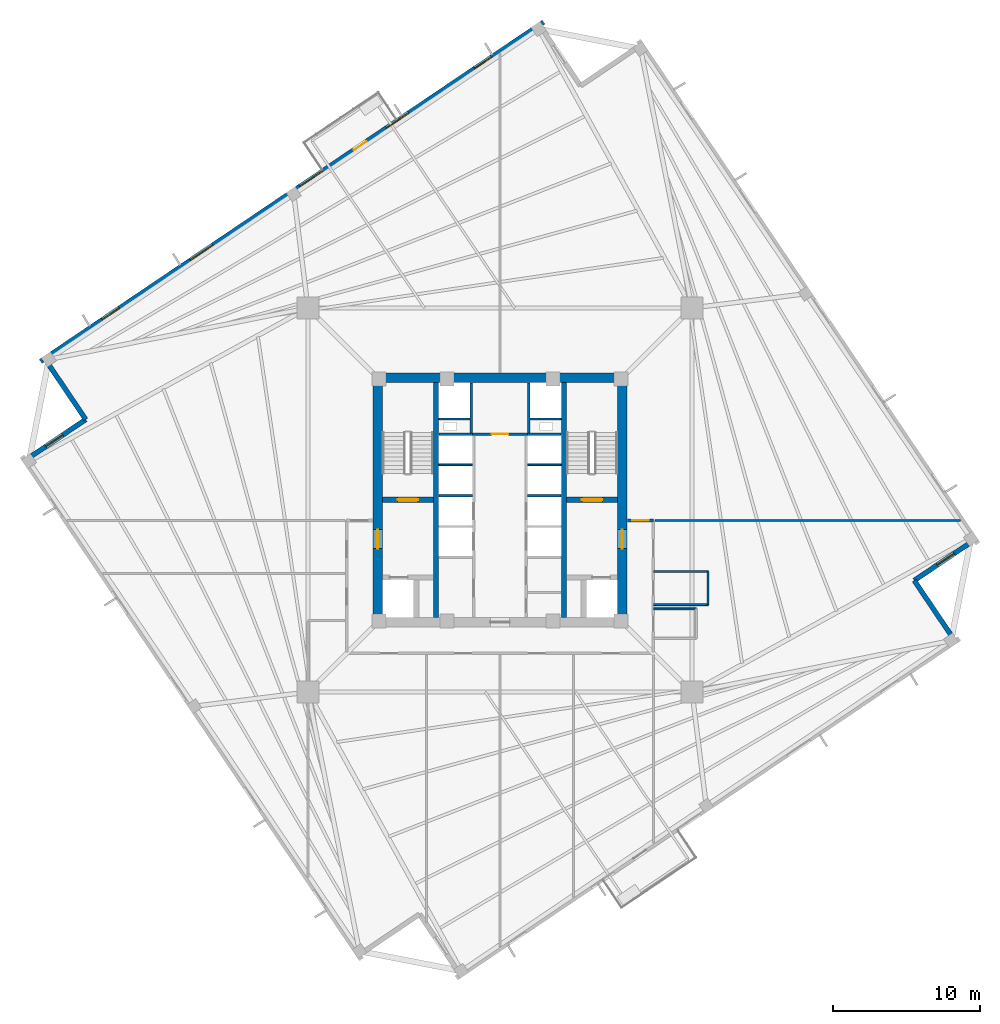
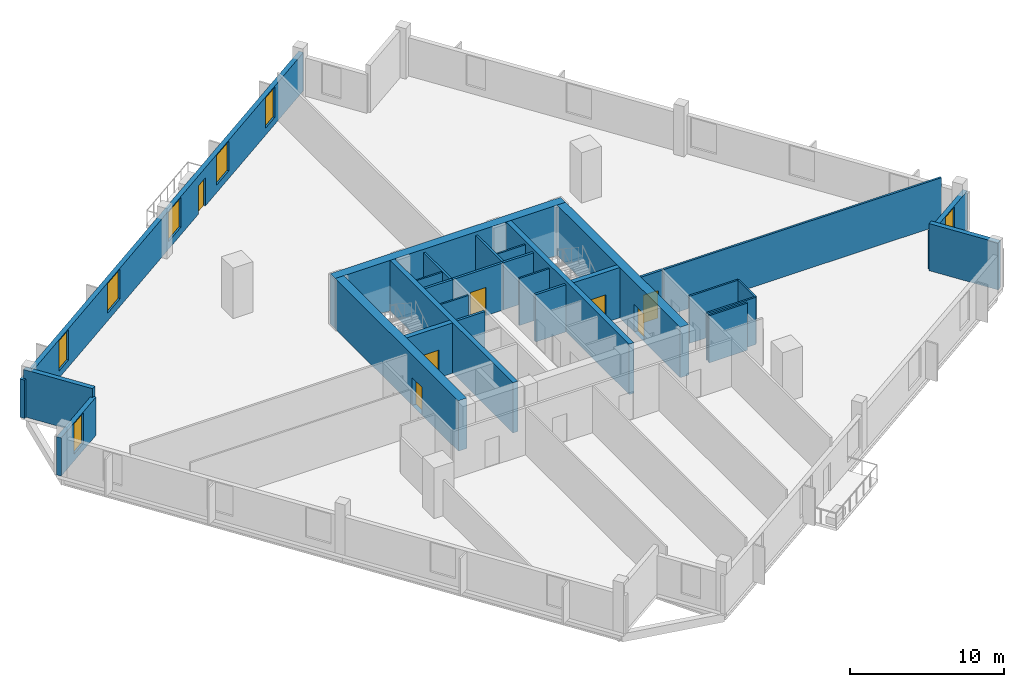
# One storey, part 4 of 8: 29 walls, 7 doors, 7 windows, 14 openings.
"""IFC4 building model written with IfcOpenShell, lengths in metres."""

import ifcopenshell
import ifcopenshell.guid

model = None  # the IFC model being written
_history = None  # IfcOwnerHistory: only IFC2X3 demands one
_inside = {}  # id of a spatial element -> (the spatial element, [elements in it])
_under = {}  # id of a project, library or spatial element -> (it, [spatial elements below it])
_declared = {}  # id of a project -> (the project, [libraries it declares])
_typed = {}  # id of a type object -> (the type object, [elements of that type])
_made_of = {}  # id of a material, layer set ... -> (it, [elements and type objects made of it])


def new_model(schema):
    """Start an empty IFC model of exactly this schema.

    Asked for "IFC4X3", IfcOpenShell would pick the latest addendum, in which some entities
    have other attributes; the version numbers below select the first issue.
    IFC2X3 requires an IfcOwnerHistory on every rooted entity: one is made here for all.
    """
    global model, _history
    if schema == "IFC4X3":
        model = ifcopenshell.file(schema_version=(4, 3, 0, 0))
    else:
        model = ifcopenshell.file(schema=schema)
    _inside.clear()
    _under.clear()
    _declared.clear()
    _typed.clear()
    _made_of.clear()
    _history = None
    if model.schema == "IFC2X3":
        org = make("IfcOrganization", Name="unknown")
        user = make(
            "IfcPersonAndOrganization",
            ThePerson=make("IfcPerson", FamilyName="unknown"),
            TheOrganization=org,
        )
        app = make(
            "IfcApplication",
            ApplicationDeveloper=org,
            Version="unknown",
            ApplicationFullName="unknown",
            ApplicationIdentifier="unknown",
        )
        _history = make(
            "IfcOwnerHistory",
            OwningUser=user,
            OwningApplication=app,
            ChangeAction="ADDED",
            CreationDate=0,
        )
    return model


def make(cls, **values):
    """One entity of the class cls with the attributes given. An attribute that is None is left unset."""
    return model.create_entity(
        cls, **{name: value for name, value in values.items() if value is not None}
    )


def rooted(cls, **values):
    """An entity with a GlobalId (a new one), such as an element, a storey or a relation."""
    return make(cls, GlobalId=ifcopenshell.guid.new(), OwnerHistory=_history, **values)


def si_unit(unit_type, name, prefix=None):
    """IfcSIUnit, for example si_unit("LENGTHUNIT", "METRE", prefix="MILLI")."""
    return make("IfcSIUnit", UnitType=unit_type, Prefix=prefix, Name=name)


def assignment(units):
    """IfcUnitAssignment: the units of a project."""
    return None if units is None else make("IfcUnitAssignment", Units=units)


def point(xyz):
    """IfcCartesianPoint."""
    return None if xyz is None else make("IfcCartesianPoint", Coordinates=xyz)


def direction(xyz):
    """IfcDirection."""
    return None if xyz is None else make("IfcDirection", DirectionRatios=xyz)


def frame(location, z_axis=None, x_axis=None):
    """IfcAxis2Placement3D, a coordinate frame: its origin and axes. An axis left out is left unset."""
    return make(
        "IfcAxis2Placement3D",
        Location=point(location),
        Axis=direction(z_axis),
        RefDirection=direction(x_axis),
    )


def frame_2d(location, x_axis=None):
    """IfcAxis2Placement2D, a coordinate frame in the plane: its origin and x axis."""
    return make(
        "IfcAxis2Placement2D", Location=point(location), RefDirection=direction(x_axis)
    )


def origin():
    """The frame at (0, 0, 0) with its axes left unset."""
    return frame((0.0, 0.0, 0.0))


def place(relative_to, where):
    """IfcLocalPlacement: puts the frame where relative to a parent placement (None: the world)."""
    return make(
        "IfcLocalPlacement", PlacementRelTo=relative_to, RelativePlacement=where
    )


def context(
    kind, dimensions, precision=None, world=None, true_north=None, identifier=None
):
    """IfcGeometricRepresentationContext, for example the 3D "Model" context."""
    return make(
        "IfcGeometricRepresentationContext",
        ContextIdentifier=identifier,
        ContextType=kind,
        CoordinateSpaceDimension=dimensions,
        Precision=precision,
        WorldCoordinateSystem=world,
        TrueNorth=true_north,
    )


def subcontext(parent, identifier, kind, view, scale=None):
    """IfcGeometricRepresentationSubContext, for example "Body" below "Model"."""
    return make(
        "IfcGeometricRepresentationSubContext",
        ContextIdentifier=identifier,
        ContextType=kind,
        ParentContext=parent,
        TargetScale=scale,
        TargetView=view,
    )


def project(units=None, contexts=None):
    """IfcProject with its units and contexts."""
    return rooted(
        "IfcProject",
        Name="project",
        RepresentationContexts=contexts,
        UnitsInContext=assignment(units),
    )


def spatial(cls, under=None, at=None, **own):
    """A site, building, storey or space (cls), placed at a placement, below another one or the project."""
    s = rooted(cls, ObjectPlacement=at, **own)
    if under is not None:
        _under.setdefault(under.id(), (under, []))[1].append(s)
    return s


def profile(cls, at=None, kind="AREA", **sizes):
    """A parametric profile (cls). Its sizes go by their IFC names, for example OverallWidth=200.0."""
    return make(cls, ProfileType=kind, Position=at, **sizes)


def rectangle(**sizes):
    """IfcRectangleProfileDef."""
    return profile("IfcRectangleProfileDef", **sizes)


def extrude(swept, where, along, depth):
    """IfcExtrudedAreaSolid: the profile swept, set in the frame where, extruded along a direction by depth."""
    return make(
        "IfcExtrudedAreaSolid",
        SweptArea=swept,
        Position=where,
        ExtrudedDirection=direction(along),
        Depth=depth,
    )


def shape(context_of_items, identifier, shape_type, items):
    """IfcShapeRepresentation: the items that make up one representation, for example the "Body"."""
    return make(
        "IfcShapeRepresentation",
        ContextOfItems=context_of_items,
        RepresentationIdentifier=identifier,
        RepresentationType=shape_type,
        Items=items,
    )


def source(mapping_origin, context_of_items, identifier, shape_type, items):
    """IfcRepresentationMap: a shape defined once, which mapped items show again and again."""
    return make(
        "IfcRepresentationMap",
        MappingOrigin=mapping_origin,
        MappedRepresentation=shape(context_of_items, identifier, shape_type, items),
    )


def transform(
    local_origin,
    x_axis=None,
    y_axis=None,
    z_axis=None,
    scale=None,
    scale2=None,
    scale3=None,
    uniform=True,
):
    """IfcCartesianTransformationOperator3D, or its non-uniform kind. x_axis, y_axis, z_axis: its Axis1, 2, 3."""
    if uniform:
        return make(
            "IfcCartesianTransformationOperator3D",
            Axis1=direction(x_axis),
            Axis2=direction(y_axis),
            LocalOrigin=point(local_origin),
            Scale=scale,
            Axis3=direction(z_axis),
        )
    return make(
        "IfcCartesianTransformationOperator3DnonUniform",
        Axis1=direction(x_axis),
        Axis2=direction(y_axis),
        LocalOrigin=point(local_origin),
        Scale=scale,
        Axis3=direction(z_axis),
        Scale2=scale2,
        Scale3=scale3,
    )


def mapped(mapping_source, mapping_target):
    """IfcMappedItem: shows the shape of a source again, moved by a transform."""
    return make(
        "IfcMappedItem", MappingSource=mapping_source, MappingTarget=mapping_target
    )


def material(Name=None, Category=None):
    """IfcMaterial."""
    return make("IfcMaterial", Name=Name, Category=Category)


def layer(
    of_material, thickness, ventilated=None, Name=None, Category=None, Priority=None
):
    """IfcMaterialLayer: one layer of a wall or slab, of a material (None: an air gap)."""
    return make(
        "IfcMaterialLayer",
        Material=of_material,
        LayerThickness=thickness,
        IsVentilated=ventilated,
        Name=Name,
        Category=Category,
        Priority=Priority,
    )


def layer_set(layers, Name=None):
    """IfcMaterialLayerSet."""
    return make("IfcMaterialLayerSet", MaterialLayers=layers, LayerSetName=Name)


def made_of(thing, what):
    """Note that an element or type object is made of a material, layer set ...; save() writes the relation."""
    if what is not None:
        _made_of.setdefault(what.id(), (what, []))[1].append(thing)
    return thing


def type_object(cls, material=None, **own):
    """A type object (cls), such as IfcWallType, which elements share."""
    return made_of(rooted(cls, **own), material)


def element(
    cls,
    number,
    at=None,
    inside=None,
    cuts=None,
    type_object=None,
    material=None,
    context=None,
    identifier="Body",
    shape_type=None,
    held_by="IfcProductDefinitionShape",
    body=None,
    shapes=None,
    **own,
):
    """One element of the class cls, such as IfcWall. Its Tag is "e" and its number.

    at: its placement. inside: the storey or other place that contains it. cuts: it is an
    opening in that element (IfcRelVoidsElement). A single representation is given by context,
    identifier, shape_type and body (its items); several are given by shapes. held_by: the class
    of the entity that holds the representations. save() writes the other relations.
    """
    e = rooted(cls, Tag="e%d" % number, ObjectPlacement=at, **own)
    if body is not None:
        shapes = [shape(context, identifier, shape_type, body)]
    if shapes is not None:
        e.Representation = make(held_by, Representations=shapes)
    if inside is not None:
        _inside.setdefault(inside.id(), (inside, []))[1].append(e)
    if cuts is not None:
        rooted(
            "IfcRelVoidsElement", RelatingBuildingElement=cuts, RelatedOpeningElement=e
        )
    if type_object is not None:
        _typed.setdefault(type_object.id(), (type_object, []))[1].append(e)
    return made_of(e, material)


def fill(opening, filler):
    """IfcRelFillsElement: the door or window that sits in an opening."""
    return rooted(
        "IfcRelFillsElement",
        RelatingOpeningElement=opening,
        RelatedBuildingElement=filler,
    )


def aggregate(whole, parts):
    """IfcRelAggregates: a whole, such as a stair, and the parts it consists of."""
    return rooted("IfcRelAggregates", RelatingObject=whole, RelatedObjects=parts)


def save(model, path):
    """Write the relations noted so far, then the file.

    IfcRelAggregates (storeys below a building ...), IfcRelContainedInSpatialStructure (elements
    in a storey), IfcRelDefinesByType, IfcRelAssociatesMaterial and IfcRelDeclares: one each for
    every whole, place, type object, material and project.
    """
    for whole, parts in _under.values():
        aggregate(whole, parts)
    for where, things in _inside.values():
        rooted(
            "IfcRelContainedInSpatialStructure",
            RelatedElements=things,
            RelatingStructure=where,
        )
    for kind, things in _typed.values():
        rooted("IfcRelDefinesByType", RelatedObjects=things, RelatingType=kind)
    for what, things in _made_of.values():
        rooted("IfcRelAssociatesMaterial", RelatedObjects=things, RelatingMaterial=what)
    for by, libraries in _declared.values():
        rooted("IfcRelDeclares", RelatingContext=by, RelatedDefinitions=libraries)
    model.write(path)


model = new_model("IFC4")

# Units and contexts
model_context = context("Model", 3, precision=1e-05, world=origin(), true_north=direction((0.0, 1.0)))
body_context = subcontext(model_context, "Body", "Model", "MODEL_VIEW")
ifc_project = project(units=[si_unit("LENGTHUNIT", "METRE"), si_unit("AREAUNIT", "SQUARE_METRE"), si_unit("VOLUMEUNIT", "CUBIC_METRE"), si_unit("PLANEANGLEUNIT", "RADIAN"), si_unit("MASSUNIT", "GRAM", prefix="KILO"), si_unit("THERMODYNAMICTEMPERATUREUNIT", "KELVIN")], contexts=[model_context])

# Site, building, storey
site_placement = place(None, origin())
site = spatial("IfcSite", under=ifc_project, at=site_placement, CompositionType="ELEMENT")
building_placement = place(site_placement, origin())
building = spatial("IfcBuilding", under=site, at=building_placement, Name="Kosmvard Interchange Tower", CompositionType="ELEMENT")
storey_placement = place(building_placement, frame((0.0, 0.0, 152.39990234375)))
storey = spatial("IfcBuildingStorey", under=building, at=storey_placement, Name="L36", CompositionType="ELEMENT", Elevation=152.39990234375)

# Walls
ifc_material_1 = material(Name="Acoustic gypsum partition system")
ifc_layer_1 = layer(ifc_material_1, 0.14990234375, Name="Acoustic gypsum partition system")
ifc_layer_set_1 = layer_set([ifc_layer_1], Name="Acoustic gypsum partition system")
wall_type_1 = type_object("IfcWallType", Name="Acoustic Suite & Meeting Partition 150", PredefinedType="PARTITIONING", material=ifc_layer_set_1)
wall_1_placement = place(storey_placement, frame((10.544921875, -1.39990234375, 0.0), z_axis=(0.0, 0.0, 1.0), x_axis=(1.0, 0.0, 0.0)))
element("IfcWall", 1, at=wall_1_placement, inside=storey, type_object=wall_type_1, Name="L36 Room Partition 03.1", PredefinedType="PARTITIONING", context=body_context, shape_type="SweptSolid", body=[
    extrude(rectangle(XDim=20.826171875, YDim=0.14990234375, at=frame_2d((10.4130859375, 0.0))), origin(), (0.0, 0.0, 1.0), 3.739990234375),
])
ifc_material_2 = material(Name="Fire-rated gypsum partition system")
ifc_layer_2 = layer(ifc_material_2, 0.159912109375, Name="Fire-rated gypsum partition system")
ifc_layer_set_2 = layer_set([ifc_layer_2], Name="Fire-rated gypsum partition system")
wall_type_2 = type_object("IfcWallType", Name="Core Compartment & Shuttle Lobby Partition 160", PredefinedType="PARTITIONING", material=ifc_layer_set_2)
for number, where, z_axis, x_axis, name in (
    (2, (-1.9599609375, 4.580078125, 0.0), (0.0, 0.0, 1.0), (0.0, 1.0, 0.0), "L36 North Core West Wall"),
    (3, (1.9599609375, 4.580078125, 0.0), (0.0, 0.0, 1.0), (0.0, 1.0, 0.0), "L36 North Core East Wall"),
):
    element("IfcWall", number, at=place(storey_placement, frame(where, z_axis=z_axis, x_axis=x_axis)), inside=storey, type_object=wall_type_2, Name=name, PredefinedType="PARTITIONING", context=body_context, shape_type="SweptSolid", body=[
        extrude(rectangle(XDim=3.39990234375, YDim=0.159912109375, at=frame_2d((1.699951171875, 0.0))), origin(), (0.0, 0.0, 1.0), 3.739990234375),
    ])

# Wall, opening, door
ifc_layer_3 = layer(ifc_material_2, 0.179931640625, Name="Fire-rated gypsum partition system")
ifc_layer_set_3 = layer_set([ifc_layer_3], Name="Fire-rated gypsum partition system")
wall_type_3 = type_object("IfcWallType", Name="Corridor & Hotel Compartment Partition 180", PredefinedType="PARTITIONING", material=ifc_layer_set_3)
wall_2_placement = place(storey_placement, frame((-1.8798828125, 4.489990234375, 0.0), z_axis=(0.0, 0.0, 1.0), x_axis=(1.0, 0.0, 0.0)))
wall_2 = element("IfcWall", 4, at=wall_2_placement, inside=storey, type_object=wall_type_3, Name="L36 Lift Lobby North Partition", PredefinedType="PARTITIONING", context=body_context, shape_type="SweptSolid", body=[
    extrude(rectangle(XDim=3.759765625, YDim=0.179931640625, at=frame_2d((1.8798828125, 0.0))), origin(), (0.0, 0.0, 1.0), 3.739990234375),
])
opening_1_placement = place(wall_2_placement, frame((1.304931640625, 0.0, 0.0)))
opening_1 = element("IfcOpeningElement", 5, at=opening_1_placement, cuts=wall_2, Name="Opening L36-KD1", PredefinedType="OPENING", context=body_context, shape_type="SweptSolid", body=[
    extrude(rectangle(XDim=1.14990234375, YDim=2.25, at=frame_2d((0.574951171875, 1.125))), frame((0.0, 0.10009765625, 0.0), z_axis=(0.0, -1.0, 0.0), x_axis=(1.0, 0.0, 0.0)), (0.0, 0.0, 1.0), 0.199951171875),
])
ifc_material_3 = material(Name="Painted fire-rated steel leaf", Category="steel")
door_type_1 = type_object("IfcDoorType", Name="Plant & Riser Fire Door 1150x2250 EI60", OperationType="NOTDEFINED", PredefinedType="DOOR", material=ifc_material_3)
shared_shape_1 = source(origin(), body_context, "Body", "SweptSolid", [
    extrude(rectangle(XDim=1.14990234375, YDim=2.25, at=frame_2d((0.574951171875, 1.125))), frame((0.0, 0.02490234375, 0.0), z_axis=(0.0, -1.0, 0.0), x_axis=(1.0, 0.0, 0.0)), (0.0, 0.0, 1.0), 0.050048828125),
])
door_1_placement = place(opening_1_placement, origin())
door_1 = element("IfcDoor", 6, at=door_1_placement, inside=storey, type_object=door_type_1, Name="L36 Core IT Room Door", OperationType="SINGLE_SWING_LEFT", OverallHeight=2.25, OverallWidth=1.14990234375, PredefinedType="DOOR", context=body_context, shape_type="MappedRepresentation", body=[
    mapped(shared_shape_1, transform((0.0, 0.0, 0.0), scale=1.0)),
])
fill(opening_1, door_1)

wall_3_placement = place(storey_placement, frame((8.699951171875, -1.39990234375, 0.0), z_axis=(0.0, 0.0, 1.0), x_axis=(1.0, 0.0, 0.0)))
wall_3 = element("IfcWall", 7, at=wall_3_placement, inside=storey, type_object=wall_type_3, Name="L36 Corridor Wall CNE", PredefinedType="PARTITIONING", context=body_context, shape_type="SweptSolid", body=[
    extrude(rectangle(XDim=1.75, YDim=0.179931640625, at=frame_2d((0.875, 0.0))), origin(), (0.0, 0.0, 1.0), 3.739990234375),
])
opening_2_placement = place(wall_3_placement, frame((0.324951171875, 0.0, 0.0)))
opening_2 = element("IfcOpeningElement", 8, at=opening_2_placement, cuts=wall_3, Name="Opening L36-D04", PredefinedType="OPENING", context=body_context, shape_type="SweptSolid", body=[
    extrude(rectangle(XDim=1.10009765625, YDim=2.199951171875, at=frame_2d((0.550048828125, 1.10009765625))), frame((0.0, 0.10009765625, 0.0), z_axis=(0.0, -1.0, 0.0), x_axis=(1.0, 0.0, 0.0)), (0.0, 0.0, 1.0), 0.199951171875),
])
ifc_material_4 = material(Name="Engineered oak fire-rated timber", Category="wood")
door_type_2 = type_object("IfcDoorType", Name="Office Suite Entrance Door 1100x2200 FD30S", OperationType="NOTDEFINED", PredefinedType="DOOR", material=ifc_material_4)
shared_shape_2 = source(origin(), body_context, "Body", "SweptSolid", [
    extrude(rectangle(XDim=1.10009765625, YDim=2.199951171875, at=frame_2d((0.550048828125, 1.10009765625))), frame((0.0, 0.02490234375, 0.0), z_axis=(0.0, -1.0, 0.0), x_axis=(1.0, 0.0, 0.0)), (0.0, 0.0, 1.0), 0.050048828125),
])
door_2_placement = place(opening_2_placement, origin())
door_2 = element("IfcDoor", 9, at=door_2_placement, inside=storey, type_object=door_type_2, Name="L36 North-East Technology Workplace Door", OperationType="SINGLE_SWING_RIGHT", OverallHeight=2.199951171875, OverallWidth=1.10009765625, PredefinedType="DOOR", context=body_context, shape_type="MappedRepresentation", body=[
    mapped(shared_shape_2, transform((0.0, 0.0, 0.0), scale=1.0)),
])
fill(opening_2, door_2)

# Wall
ifc_material_5 = material(Name="Concrete C70/85", Category="concrete")
ifc_layer_4 = layer(ifc_material_5, 0.64990234375, Name="Concrete C70/85")
ifc_layer_set_4 = layer_set([ifc_layer_4], Name="Concrete C70/85")
wall_type_4 = type_object("IfcWallType", Name="Mid Core Shear Wall 650 C70/85", PredefinedType="SHEAR", material=ifc_layer_set_4)
wall_4_placement = place(storey_placement, frame((-8.64990234375, 8.324951171875, 0.0), z_axis=(0.0, 0.0, 1.0), x_axis=(1.0, 0.0, 0.0)))
element("IfcWall", 10, at=wall_4_placement, inside=storey, type_object=wall_type_4, Name="L36 Core Shear Wall CW-N", PredefinedType="SHEAR", context=body_context, shape_type="SweptSolid", body=[
    extrude(rectangle(XDim=17.2998046875, YDim=0.64990234375, at=frame_2d((8.64990234375, 0.0))), origin(), (0.0, 0.0, 1.0), 4.0),
])

# Wall, opening, door
wall_5_placement = place(storey_placement, frame((-8.324951171875, -8.0, 0.0), z_axis=(0.0, 0.0, 1.0), x_axis=(0.0, 1.0, 0.0)))
wall_5 = element("IfcWall", 11, at=wall_5_placement, inside=storey, type_object=wall_type_4, Name="L36 Core Shear Wall CW-W", PredefinedType="SHEAR", context=body_context, shape_type="SweptSolid", body=[
    extrude(rectangle(XDim=16.0, YDim=0.64990234375, at=frame_2d((8.0, 0.0))), origin(), (0.0, 0.0, 1.0), 4.0),
])
opening_3_placement = place(wall_5_placement, frame((4.68994140625, 0.0, 0.0)))
opening_3 = element("IfcOpeningElement", 12, at=opening_3_placement, cuts=wall_5, Name="Opening L36-FD1", PredefinedType="OPENING", context=body_context, shape_type="SweptSolid", body=[
    extrude(rectangle(XDim=1.300048828125, YDim=2.199951171875, at=frame_2d((0.64990234375, 1.10009765625))), frame((0.0, 0.3349609375, 0.0), z_axis=(0.0, -1.0, 0.0), x_axis=(1.0, 0.0, 0.0)), (0.0, 0.0, 1.0), 0.669921875),
])
door_type_3 = type_object("IfcDoorType", Name="Firefighting Lobby Door 1300x2200 EI60", OperationType="NOTDEFINED", PredefinedType="DOOR", material=ifc_material_3)
shared_shape_3 = source(origin(), body_context, "Body", "SweptSolid", [
    extrude(rectangle(XDim=1.300048828125, YDim=2.199951171875, at=frame_2d((0.64990234375, 1.10009765625))), frame((0.0, 0.02490234375, 0.0), z_axis=(0.0, -1.0, 0.0), x_axis=(1.0, 0.0, 0.0)), (0.0, 0.0, 1.0), 0.050048828125),
])
door_3_placement = place(opening_3_placement, frame((1.300048828125, 0.0, 0.0), z_axis=(0.0, 0.0, 1.0), x_axis=(-1.0, 0.0, 0.0)))
door_3 = element("IfcDoor", 13, at=door_3_placement, inside=storey, type_object=door_type_3, Name="L36 Firefighting Lobby West Door", OperationType="SINGLE_SWING_LEFT", OverallHeight=2.199951171875, OverallWidth=1.300048828125, PredefinedType="DOOR", context=body_context, shape_type="MappedRepresentation", body=[
    mapped(shared_shape_3, transform((0.0, 0.0, 0.0), scale=1.0)),
])
fill(opening_3, door_3)

wall_6_placement = place(storey_placement, frame((8.324951171875, -8.0, 0.0), z_axis=(0.0, 0.0, 1.0), x_axis=(0.0, 1.0, 0.0)))
wall_6 = element("IfcWall", 14, at=wall_6_placement, inside=storey, type_object=wall_type_4, Name="L36 Core Shear Wall CW-E", PredefinedType="SHEAR", context=body_context, shape_type="SweptSolid", body=[
    extrude(rectangle(XDim=16.0, YDim=0.64990234375, at=frame_2d((8.0, 0.0))), origin(), (0.0, 0.0, 1.0), 4.0),
])
opening_4_placement = place(wall_6_placement, frame((4.68994140625, 0.0, 0.0)))
opening_4 = element("IfcOpeningElement", 15, at=opening_4_placement, cuts=wall_6, Name="Opening L36-FD2", PredefinedType="OPENING", context=body_context, shape_type="SweptSolid", body=[
    extrude(rectangle(XDim=1.300048828125, YDim=2.199951171875, at=frame_2d((0.64990234375, 1.10009765625))), frame((0.0, 0.3349609375, 0.0), z_axis=(0.0, -1.0, 0.0), x_axis=(1.0, 0.0, 0.0)), (0.0, 0.0, 1.0), 0.669921875),
])
door_4_placement = place(opening_4_placement, origin())
door_4 = element("IfcDoor", 16, at=door_4_placement, inside=storey, type_object=door_type_3, Name="L36 Firefighting Lobby East Door", OperationType="SINGLE_SWING_RIGHT", OverallHeight=2.199951171875, OverallWidth=1.300048828125, PredefinedType="DOOR", context=body_context, shape_type="MappedRepresentation", body=[
    mapped(shared_shape_3, transform((0.0, 0.0, 0.0), scale=1.0)),
])
fill(opening_4, door_4)

# Wall
ifc_material_6 = material(Name="Precast concrete C45/55", Category="concrete")
ifc_layer_5 = layer(ifc_material_6, 0.340087890625, Name="Precast concrete C45/55")
ifc_layer_set_5 = layer_set([ifc_layer_5], Name="Precast concrete C45/55")
wall_type_5 = type_object("IfcWallType", Name="Mid Tower Precast Pier Wall 340 C45/55", PredefinedType="STANDARD", material=ifc_layer_set_5)
wall_7_placement = place(storey_placement, frame((31.018798828125, -9.631103515625, 0.0), z_axis=(0.0, 0.0, 1.0), x_axis=(-0.559210350234, 0.829025804298, 0.0)))
element("IfcWall", 17, at=wall_7_placement, inside=storey, type_object=wall_type_5, Name="L36 Precast Facade Wall N-SE1", PredefinedType="STANDARD", context=body_context, shape_type="SweptSolid", body=[
    extrude(rectangle(XDim=5.000244140625, YDim=0.340087890625, at=frame_2d((2.5, 0.0))), origin(), (0.0, 0.0, 1.0), 3.739990234375),
])

# Wall, opening, window
wall_8_placement = place(storey_placement, frame((28.22265625, -5.48583984375, 0.0), z_axis=(0.0, 0.0, 1.0), x_axis=(0.82905227345, 0.559171107879, 0.0)))
wall_8 = element("IfcWall", 18, at=wall_8_placement, inside=storey, type_object=wall_type_5, Name="L36 Precast Facade Wall N-SE2", PredefinedType="STANDARD", context=body_context, shape_type="SweptSolid", body=[
    extrude(rectangle(XDim=5.169921875, YDim=0.340087890625, at=frame_2d((2.5849609375, 0.0))), origin(), (0.0, 0.0, 1.0), 3.0400390625),
])
opening_5_placement = place(wall_8_placement, frame((1.885009765625, 0.0, 0.56005859375)))
opening_5 = element("IfcOpeningElement", 19, at=opening_5_placement, cuts=wall_8, Name="Opening L36-W21", PredefinedType="OPENING", context=body_context, shape_type="SweptSolid", body=[
    extrude(rectangle(XDim=1.39990234375, YDim=2.39990234375, at=frame_2d((0.699951171875, 1.199951171875))), frame((0.0, 0.18017578125, 0.0), z_axis=(0.0, -1.0, 0.0), x_axis=(1.0, 0.0, 0.0)), (0.0, 0.0, 1.0), 0.360107421875),
])
ifc_material_7 = material(Name="Low-E solar-control double glazing", Category="glass")
window_type_1 = type_object("IfcWindowType", Name="Notched Corner Feature Window 1400x2400", PartitioningType="SINGLE_PANEL", PredefinedType="WINDOW", material=ifc_material_7)
shared_shape_4 = source(origin(), body_context, "Body", "SweptSolid", [
    extrude(rectangle(XDim=1.39990234375, YDim=2.39990234375, at=frame_2d((0.699951171875, 1.199951171875))), frame((0.0, 0.030029296875, 0.0), z_axis=(0.0, -1.0, 0.0), x_axis=(1.0, 0.0, 0.0)), (0.0, 0.0, 1.0), 0.06005859375),
])
window_1_placement = place(opening_5_placement, origin())
window_1 = element("IfcWindow", 20, at=window_1_placement, inside=storey, type_object=window_type_1, Name="L36 Corner Notch Window 21", OverallHeight=2.39990234375, OverallWidth=1.39990234375, PartitioningType="SINGLE_PANEL", PredefinedType="WINDOW", context=body_context, shape_type="MappedRepresentation", body=[
    mapped(shared_shape_4, transform((0.0, 0.0, 0.0), scale=1.0)),
])
fill(opening_5, window_1)

# Wall, openings, door, windows
wall_9_placement = place(storey_placement, frame((2.971923828125, 32.55810546875, 0.0), z_axis=(0.0, 0.0, 1.0), x_axis=(-0.829036218961, -0.559194910251, 0.0)))
wall_9 = element("IfcWall", 21, at=wall_9_placement, inside=storey, type_object=wall_type_5, Name="L36 Precast Facade Wall F-N", PredefinedType="STANDARD", context=body_context, shape_type="SweptSolid", body=[
    extrude(rectangle(XDim=41.340087890625, YDim=0.340087890625, at=frame_2d((20.669921875, 0.0))), origin(), (0.0, 0.0, 1.0), 3.0400390625),
])
opening_6_placement = place(wall_9_placement, frame((14.544921875, 0.0, 0.0)))
opening_6 = element("IfcOpeningElement", 22, at=opening_6_placement, cuts=wall_9, Name="Opening L36-BDN", PredefinedType="OPENING", context=body_context, shape_type="SweptSolid", body=[
    extrude(rectangle(XDim=1.050048828125, YDim=2.25, at=frame_2d((0.52490234375, 1.125))), frame((0.0, 0.18017578125, 0.0), z_axis=(0.0, -1.0, 0.0), x_axis=(1.0, 0.0, 0.0)), (0.0, 0.0, 1.0), 0.360107421875),
])
opening_7_placement = place(wall_9_placement, frame((4.2607421875, 0.0, 0.56005859375)))
opening_7 = element("IfcOpeningElement", 23, at=opening_7_placement, cuts=wall_9, Name="Opening L36-W11", PredefinedType="OPENING", context=body_context, shape_type="SweptSolid", body=[
    extrude(rectangle(XDim=1.39990234375, YDim=2.39990234375, at=frame_2d((0.699951171875, 1.199951171875))), frame((0.0, 0.18017578125, 0.0), z_axis=(0.0, -1.0, 0.0), x_axis=(1.0, 0.0, 0.0)), (0.0, 0.0, 1.0), 0.360107421875),
])
opening_8_placement = place(wall_9_placement, frame((11.063720703125, 0.0, 0.610107421875)))
opening_8 = element("IfcOpeningElement", 24, at=opening_8_placement, cuts=wall_9, Name="Opening L36-W12", PredefinedType="OPENING", context=body_context, shape_type="SweptSolid", body=[
    extrude(rectangle(XDim=1.85009765625, YDim=2.35009765625, at=frame_2d((0.925048828125, 1.175048828125))), frame((0.0, 0.18017578125, 0.0), z_axis=(0.0, -1.0, 0.0), x_axis=(1.0, 0.0, 0.0)), (0.0, 0.0, 1.0), 0.360107421875),
])
opening_9_placement = place(wall_9_placement, frame((18.168212890625, 0.0, 0.610107421875)))
opening_9 = element("IfcOpeningElement", 25, at=opening_9_placement, cuts=wall_9, Name="Opening L36-W13", PredefinedType="OPENING", context=body_context, shape_type="SweptSolid", body=[
    extrude(rectangle(XDim=1.85009765625, YDim=2.35009765625, at=frame_2d((0.925048828125, 1.175048828125))), frame((0.0, 0.18017578125, 0.0), z_axis=(0.0, -1.0, 0.0), x_axis=(1.0, 0.0, 0.0)), (0.0, 0.0, 1.0), 0.360107421875),
])
opening_10_placement = place(wall_9_placement, frame((27.186279296875, 0.0, 0.610107421875)))
opening_10 = element("IfcOpeningElement", 26, at=opening_10_placement, cuts=wall_9, Name="Opening L36-W14", PredefinedType="OPENING", context=body_context, shape_type="SweptSolid", body=[
    extrude(rectangle(XDim=1.85009765625, YDim=2.35009765625, at=frame_2d((0.925048828125, 1.175048828125))), frame((0.0, 0.18017578125, 0.0), z_axis=(0.0, -1.0, 0.0), x_axis=(1.0, 0.0, 0.0)), (0.0, 0.0, 1.0), 0.360107421875),
])
opening_11_placement = place(wall_9_placement, frame((34.852294921875, 0.0, 0.56005859375)))
opening_11 = element("IfcOpeningElement", 27, at=opening_11_placement, cuts=wall_9, Name="Opening L36-W15", PredefinedType="OPENING", context=body_context, shape_type="SweptSolid", body=[
    extrude(rectangle(XDim=1.39990234375, YDim=2.39990234375, at=frame_2d((0.699951171875, 1.199951171875))), frame((0.0, 0.18017578125, 0.0), z_axis=(0.0, -1.0, 0.0), x_axis=(1.0, 0.0, 0.0)), (0.0, 0.0, 1.0), 0.360107421875),
])
ifc_material_8 = material(Name="Anodised aluminium and safety glass", Category="aluminium")
door_type_4 = type_object("IfcDoorType", Name="Tree-Balcony Glazed Door 1050x2250", OperationType="NOTDEFINED", PredefinedType="DOOR", material=ifc_material_8)
shared_shape_5 = source(origin(), body_context, "Body", "SweptSolid", [
    extrude(rectangle(XDim=1.050048828125, YDim=2.25, at=frame_2d((0.52490234375, 1.125))), frame((0.0, 0.02490234375, 0.0), z_axis=(0.0, -1.0, 0.0), x_axis=(1.0, 0.0, 0.0)), (0.0, 0.0, 1.0), 0.050048828125),
])
door_5_placement = place(opening_6_placement, origin())
door_5 = element("IfcDoor", 28, at=door_5_placement, inside=storey, type_object=door_type_4, Name="L36 Tree-Balcony Door BAL-L36-N", OperationType="SINGLE_SWING_LEFT", OverallHeight=2.25, OverallWidth=1.050048828125, PredefinedType="DOOR", context=body_context, shape_type="MappedRepresentation", body=[
    mapped(shared_shape_5, transform((0.0, 0.0, 0.0), scale=1.0)),
])
fill(opening_6, door_5)
window_2_placement = place(opening_7_placement, origin())
window_2 = element("IfcWindow", 29, at=window_2_placement, inside=storey, type_object=window_type_1, Name="L36 Facade Punched Window 11", OverallHeight=2.39990234375, OverallWidth=1.39990234375, PartitioningType="SINGLE_PANEL", PredefinedType="WINDOW", context=body_context, shape_type="MappedRepresentation", body=[
    mapped(shared_shape_4, transform((0.0, 0.0, 0.0), scale=1.0)),
])
fill(opening_7, window_2)
window_3_placement = place(opening_11_placement, origin())
window_3 = element("IfcWindow", 30, at=window_3_placement, inside=storey, type_object=window_type_1, Name="L36 Facade Punched Window 15", OverallHeight=2.39990234375, OverallWidth=1.39990234375, PartitioningType="SINGLE_PANEL", PredefinedType="WINDOW", context=body_context, shape_type="MappedRepresentation", body=[
    mapped(shared_shape_4, transform((0.0, 0.0, 0.0), scale=1.0)),
])
fill(opening_11, window_3)
window_type_2 = type_object("IfcWindowType", Name="Zone 3 Office Punched Window 1850x2350", PartitioningType="SINGLE_PANEL", PredefinedType="WINDOW", material=ifc_material_7)
shared_shape_6 = source(origin(), body_context, "Body", "SweptSolid", [
    extrude(rectangle(XDim=1.85009765625, YDim=2.35009765625, at=frame_2d((0.925048828125, 1.175048828125))), frame((0.0, 0.030029296875, 0.0), z_axis=(0.0, -1.0, 0.0), x_axis=(1.0, 0.0, 0.0)), (0.0, 0.0, 1.0), 0.06005859375),
])
window_4_placement = place(opening_8_placement, origin())
window_4 = element("IfcWindow", 31, at=window_4_placement, inside=storey, type_object=window_type_2, Name="L36 Facade Punched Window 12", OverallHeight=2.35009765625, OverallWidth=1.85009765625, PartitioningType="SINGLE_PANEL", PredefinedType="WINDOW", context=body_context, shape_type="MappedRepresentation", body=[
    mapped(shared_shape_6, transform((0.0, 0.0, 0.0), scale=1.0)),
])
fill(opening_8, window_4)
window_5_placement = place(opening_9_placement, origin())
window_5 = element("IfcWindow", 32, at=window_5_placement, inside=storey, type_object=window_type_2, Name="L36 Facade Punched Window 13", OverallHeight=2.35009765625, OverallWidth=1.85009765625, PartitioningType="SINGLE_PANEL", PredefinedType="WINDOW", context=body_context, shape_type="MappedRepresentation", body=[
    mapped(shared_shape_6, transform((0.0, 0.0, 0.0), scale=1.0)),
])
fill(opening_9, window_5)
window_6_placement = place(opening_10_placement, origin())
window_6 = element("IfcWindow", 33, at=window_6_placement, inside=storey, type_object=window_type_2, Name="L36 Facade Punched Window 14", OverallHeight=2.35009765625, OverallWidth=1.85009765625, PartitioningType="SINGLE_PANEL", PredefinedType="WINDOW", context=body_context, shape_type="MappedRepresentation", body=[
    mapped(shared_shape_6, transform((0.0, 0.0, 0.0), scale=1.0)),
])
fill(opening_10, window_6)

# Wall
wall_10_placement = place(storey_placement, frame((-31.018798828125, 9.631103515625, 0.0), z_axis=(0.0, 0.0, 1.0), x_axis=(0.559210350234, -0.829025804298, 0.0)))
element("IfcWall", 34, at=wall_10_placement, inside=storey, type_object=wall_type_5, Name="L36 Precast Facade Wall N-NW1", PredefinedType="STANDARD", context=body_context, shape_type="SweptSolid", body=[
    extrude(rectangle(XDim=5.000244140625, YDim=0.340087890625, at=frame_2d((2.5, 0.0))), origin(), (0.0, 0.0, 1.0), 3.739990234375),
])

# Wall, opening, window
wall_11_placement = place(storey_placement, frame((-28.22265625, 5.48583984375, 0.0), z_axis=(0.0, 0.0, 1.0), x_axis=(-0.82905227345, -0.559171107879, 0.0)))
wall_11 = element("IfcWall", 35, at=wall_11_placement, inside=storey, type_object=wall_type_5, Name="L36 Precast Facade Wall N-NW2", PredefinedType="STANDARD", context=body_context, shape_type="SweptSolid", body=[
    extrude(rectangle(XDim=5.169921875, YDim=0.340087890625, at=frame_2d((2.5849609375, 0.0))), origin(), (0.0, 0.0, 1.0), 3.0400390625),
])
opening_12_placement = place(wall_11_placement, frame((1.885009765625, 0.0, 0.56005859375)))
opening_12 = element("IfcOpeningElement", 36, at=opening_12_placement, cuts=wall_11, Name="Opening L36-W23", PredefinedType="OPENING", context=body_context, shape_type="SweptSolid", body=[
    extrude(rectangle(XDim=1.39990234375, YDim=2.39990234375, at=frame_2d((0.699951171875, 1.199951171875))), frame((0.0, 0.18017578125, 0.0), z_axis=(0.0, -1.0, 0.0), x_axis=(1.0, 0.0, 0.0)), (0.0, 0.0, 1.0), 0.360107421875),
])
window_7_placement = place(opening_12_placement, origin())
window_7 = element("IfcWindow", 37, at=window_7_placement, inside=storey, type_object=window_type_1, Name="L36 Corner Notch Window 23", OverallHeight=2.39990234375, OverallWidth=1.39990234375, PartitioningType="SINGLE_PANEL", PredefinedType="WINDOW", context=body_context, shape_type="MappedRepresentation", body=[
    mapped(shared_shape_4, transform((0.0, 0.0, 0.0), scale=1.0)),
])
fill(opening_12, window_7)

# Walls
ifc_material_9 = material(Name="Concrete blockwork masonry", Category="masonry")
ifc_layer_6 = layer(ifc_material_9, 0.179931640625, Name="Concrete blockwork masonry")
ifc_layer_set_6 = layer_set([ifc_layer_6], Name="Concrete blockwork masonry")
wall_type_6 = type_object("IfcWallType", Name="Riser & Lift Bank Divider Wall 180", PredefinedType="PARTITIONING", material=ifc_layer_set_6)
for number, where, z_axis, x_axis, name in (
    (38, (-4.169921875, 0.300048828125, 0.0), (0.0, 0.0, 1.0), (1.0, 0.0, 0.0), "L36 West Bank Divider BD2"),
    (39, (1.889892578125, 0.300048828125, 0.0), (0.0, 0.0, 1.0), (1.0, 0.0, 0.0), "L36 East Bank Divider BD2"),
    (40, (-4.169921875, 4.489990234375, 0.0), (0.0, 0.0, 1.0), (1.0, 0.0, 0.0), "L36 West Bank Divider BD3"),
    (41, (1.889892578125, 4.489990234375, 0.0), (0.0, 0.0, 1.0), (1.0, 0.0, 0.0), "L36 East Bank Divider BD3"),
):
    element("IfcWall", number, at=place(storey_placement, frame(where, z_axis=z_axis, x_axis=x_axis)), inside=storey, type_object=wall_type_6, Name=name, PredefinedType="PARTITIONING", context=body_context, shape_type="SweptSolid", body=[
        extrude(rectangle(XDim=2.280029296875, YDim=0.179931640625, at=frame_2d((1.14013671875, 0.0))), origin(), (0.0, 0.0, 1.0), 3.739990234375),
    ])
ifc_material_10 = material(Name="Fire-rated gypsum shaftwall system")
ifc_layer_7 = layer(ifc_material_10, 0.1201171875, Name="Fire-rated gypsum shaftwall system")
ifc_layer_set_7 = layer_set([ifc_layer_7], Name="Fire-rated gypsum shaftwall system")
wall_type_7 = type_object("IfcWallType", Name="Shaft & Riser Fire Partition 120 EI60", PredefinedType="PARTITIONING", material=ifc_layer_set_7)
for number, where, z_axis, x_axis, name in (
    (42, (-4.159912109375, 2.39990234375, 0.0), (0.0, 0.0, 1.0), (1.0, 0.0, 0.0), "L36 Shaft Divider PL-H1"),
    (43, (1.89990234375, 2.39990234375, 0.0), (0.0, 0.0, 1.0), (1.0, 0.0, 0.0), "L36 Shaft Divider PL-H3"),
):
    element("IfcWall", number, at=place(storey_placement, frame(where, z_axis=z_axis, x_axis=x_axis)), inside=storey, type_object=wall_type_7, Name=name, PredefinedType="PARTITIONING", context=body_context, shape_type="SweptSolid", body=[
        extrude(rectangle(XDim=2.260009765625, YDim=0.1201171875, at=frame_2d((1.1298828125, 0.0))), origin(), (0.0, 0.0, 1.0), 3.739990234375),
    ])
for number, where, z_axis, x_axis, name in (
    (44, (-4.159912109375, 5.52001953125, 0.0), (0.0, 0.0, 1.0), (1.0, 0.0, 0.0), "L36 Riser Shaft Divider W"),
    (45, (2.06005859375, 5.52001953125, 0.0), (0.0, 0.0, 1.0), (1.0, 0.0, 0.0), "L36 Riser Shaft Divider E"),
):
    element("IfcWall", number, at=place(storey_placement, frame(where, z_axis=z_axis, x_axis=x_axis)), inside=storey, type_object=wall_type_7, Name=name, PredefinedType="PARTITIONING", context=body_context, shape_type="SweptSolid", body=[
        extrude(rectangle(XDim=2.099853515625, YDim=0.1201171875, at=frame_2d((1.0498046875, 0.0))), origin(), (0.0, 0.0, 1.0), 3.739990234375),
    ])
ifc_material_11 = material(Name="Concrete C60/75", Category="concrete")
ifc_layer_8 = layer(ifc_material_11, 0.360107421875, Name="Concrete C60/75")
ifc_layer_set_8 = layer_set([ifc_layer_8], Name="Concrete C60/75")
wall_type_8 = type_object("IfcWallType", Name="Stair & Lift Shaft Shear Wall 360 C60/75", PredefinedType="SHEAR", material=ifc_layer_set_8)
for number, where, z_axis, x_axis, name in (
    (46, (-4.360107421875, -8.0, 0.0), (0.0, 0.0, 1.0), (0.0, 1.0, 0.0), "L36 Shaft Shear Wall SW-W"),
    (47, (4.360107421875, -8.0, 0.0), (0.0, 0.0, 1.0), (0.0, 1.0, 0.0), "L36 Shaft Shear Wall SW-E"),
):
    element("IfcWall", number, at=place(storey_placement, frame(where, z_axis=z_axis, x_axis=x_axis)), inside=storey, type_object=wall_type_8, Name=name, PredefinedType="SHEAR", context=body_context, shape_type="SweptSolid", body=[
        extrude(rectangle(XDim=16.0, YDim=0.360107421875, at=frame_2d((8.0, 0.0))), origin(), (0.0, 0.0, 1.0), 4.0),
    ])

# Wall, opening, door
wall_12_placement = place(storey_placement, frame((-8.0, 0.02001953125, 0.0), z_axis=(0.0, 0.0, 1.0), x_axis=(1.0, 0.0, 0.0)))
wall_12 = element("IfcWall", 48, at=wall_12_placement, inside=storey, type_object=wall_type_8, Name="L36 Shaft Shear Wall SW-ST1", PredefinedType="SHEAR", context=body_context, shape_type="SweptSolid", body=[
    extrude(rectangle(XDim=3.4599609375, YDim=0.360107421875, at=frame_2d((1.72998046875, 0.0))), origin(), (0.0, 0.0, 1.0), 4.0),
])
opening_13_placement = place(wall_12_placement, frame((1.030029296875, 0.0, 0.0)))
opening_13 = element("IfcOpeningElement", 49, at=opening_13_placement, cuts=wall_12, Name="Opening L36-SD1", PredefinedType="OPENING", context=body_context, shape_type="SweptSolid", body=[
    extrude(rectangle(XDim=1.39990234375, YDim=2.199951171875, at=frame_2d((0.699951171875, 1.10009765625))), frame((0.0, 0.18994140625, 0.0), z_axis=(0.0, -1.0, 0.0), x_axis=(1.0, 0.0, 0.0)), (0.0, 0.0, 1.0), 0.380126953125),
])
door_type_5 = type_object("IfcDoorType", Name="Protected Stair Door 1400x2200 FD60S", OperationType="NOTDEFINED", PredefinedType="DOOR", material=ifc_material_3)
shared_shape_7 = source(origin(), body_context, "Body", "SweptSolid", [
    extrude(rectangle(XDim=1.39990234375, YDim=2.199951171875, at=frame_2d((0.699951171875, 1.10009765625))), frame((0.0, 0.02490234375, 0.0), z_axis=(0.0, -1.0, 0.0), x_axis=(1.0, 0.0, 0.0)), (0.0, 0.0, 1.0), 0.050048828125),
])
door_6_placement = place(opening_13_placement, origin())
door_6 = element("IfcDoor", 50, at=door_6_placement, inside=storey, type_object=door_type_5, Name="L36 Stair ST-1 Enclosure Door", OperationType="SINGLE_SWING_LEFT", OverallHeight=2.199951171875, OverallWidth=1.39990234375, PredefinedType="DOOR", context=body_context, shape_type="MappedRepresentation", body=[
    mapped(shared_shape_7, transform((0.0, 0.0, 0.0), scale=1.0)),
])
fill(opening_13, door_6)

wall_13_placement = place(storey_placement, frame((4.5400390625, 0.02001953125, 0.0), z_axis=(0.0, 0.0, 1.0), x_axis=(1.0, 0.0, 0.0)))
wall_13 = element("IfcWall", 51, at=wall_13_placement, inside=storey, type_object=wall_type_8, Name="L36 Shaft Shear Wall SW-ST2", PredefinedType="SHEAR", context=body_context, shape_type="SweptSolid", body=[
    extrude(rectangle(XDim=3.4599609375, YDim=0.360107421875, at=frame_2d((1.72998046875, 0.0))), origin(), (0.0, 0.0, 1.0), 4.0),
])
opening_14_placement = place(wall_13_placement, frame((1.030029296875, 0.0, 0.0)))
opening_14 = element("IfcOpeningElement", 52, at=opening_14_placement, cuts=wall_13, Name="Opening L36-SD2", PredefinedType="OPENING", context=body_context, shape_type="SweptSolid", body=[
    extrude(rectangle(XDim=1.39990234375, YDim=2.199951171875, at=frame_2d((0.699951171875, 1.10009765625))), frame((0.0, 0.18994140625, 0.0), z_axis=(0.0, -1.0, 0.0), x_axis=(1.0, 0.0, 0.0)), (0.0, 0.0, 1.0), 0.380126953125),
])
door_7_placement = place(opening_14_placement, origin())
door_7 = element("IfcDoor", 53, at=door_7_placement, inside=storey, type_object=door_type_5, Name="L36 Stair ST-2 Enclosure Door", OperationType="SINGLE_SWING_RIGHT", OverallHeight=2.199951171875, OverallWidth=1.39990234375, PredefinedType="DOOR", context=body_context, shape_type="MappedRepresentation", body=[
    mapped(shared_shape_7, transform((0.0, 0.0, 0.0), scale=1.0)),
])
fill(opening_14, door_7)

# Walls
ifc_material_12 = material(Name="Moisture-resistant gypsum partition")
ifc_layer_9 = layer(ifc_material_12, 0.135009765625, Name="Moisture-resistant gypsum partition")
ifc_layer_set_9 = layer_set([ifc_layer_9], Name="Moisture-resistant gypsum partition")
wall_type_9 = type_object("IfcWallType", Name="Wet Room Moisture-Resistant Partition 135", PredefinedType="PARTITIONING", material=ifc_layer_set_9)
wall_14_placement = place(storey_placement, frame((10.469970703125, -7.419921875, 0.0), z_axis=(0.0, 0.0, 1.0), x_axis=(1.0, 0.0, 0.0)))
element("IfcWall", 54, at=wall_14_placement, inside=storey, type_object=wall_type_9, Name="L36 Washroom Partition AWC1-N", PredefinedType="PARTITIONING", context=body_context, shape_type="SweptSolid", body=[
    extrude(rectangle(XDim=2.900146484375, YDim=0.135009765625, at=frame_2d((1.4501953125, 0.0))), origin(), (0.0, 0.0, 1.0), 3.739990234375),
])
wall_15_placement = place(storey_placement, frame((10.469970703125, -7.120849609375, 0.0), z_axis=(0.0, 0.0, 1.0), x_axis=(1.0, 0.0, 0.0)))
element("IfcWall", 55, at=wall_15_placement, inside=storey, type_object=wall_type_9, Name="L36 Washroom Partition WC1-S", PredefinedType="PARTITIONING", context=body_context, shape_type="SweptSolid", body=[
    extrude(rectangle(XDim=3.699951171875, YDim=0.135009765625, at=frame_2d((1.85009765625, 0.0))), origin(), (0.0, 0.0, 1.0), 3.739990234375),
])
wall_16_placement = place(storey_placement, frame((14.169921875, -7.120849609375, 0.0), z_axis=(0.0, 0.0, 1.0), x_axis=(0.0, 1.0, 0.0)))
element("IfcWall", 56, at=wall_16_placement, inside=storey, type_object=wall_type_9, Name="L36 Washroom Partition WC1-E", PredefinedType="PARTITIONING", context=body_context, shape_type="SweptSolid", body=[
    extrude(rectangle(XDim=2.25, YDim=0.135009765625, at=frame_2d((1.125, 0.0))), origin(), (0.0, 0.0, 1.0), 3.739990234375),
])
wall_17_placement = place(storey_placement, frame((10.469970703125, -4.870849609375, 0.0), z_axis=(0.0, 0.0, 1.0), x_axis=(1.0, 0.0, 0.0)))
element("IfcWall", 57, at=wall_17_placement, inside=storey, type_object=wall_type_9, Name="L36 Washroom Partition WC1-N", PredefinedType="PARTITIONING", context=body_context, shape_type="SweptSolid", body=[
    extrude(rectangle(XDim=3.699951171875, YDim=0.135009765625, at=frame_2d((1.85009765625, 0.0))), origin(), (0.0, 0.0, 1.0), 3.739990234375),
])

save(model, "model.ifc")
